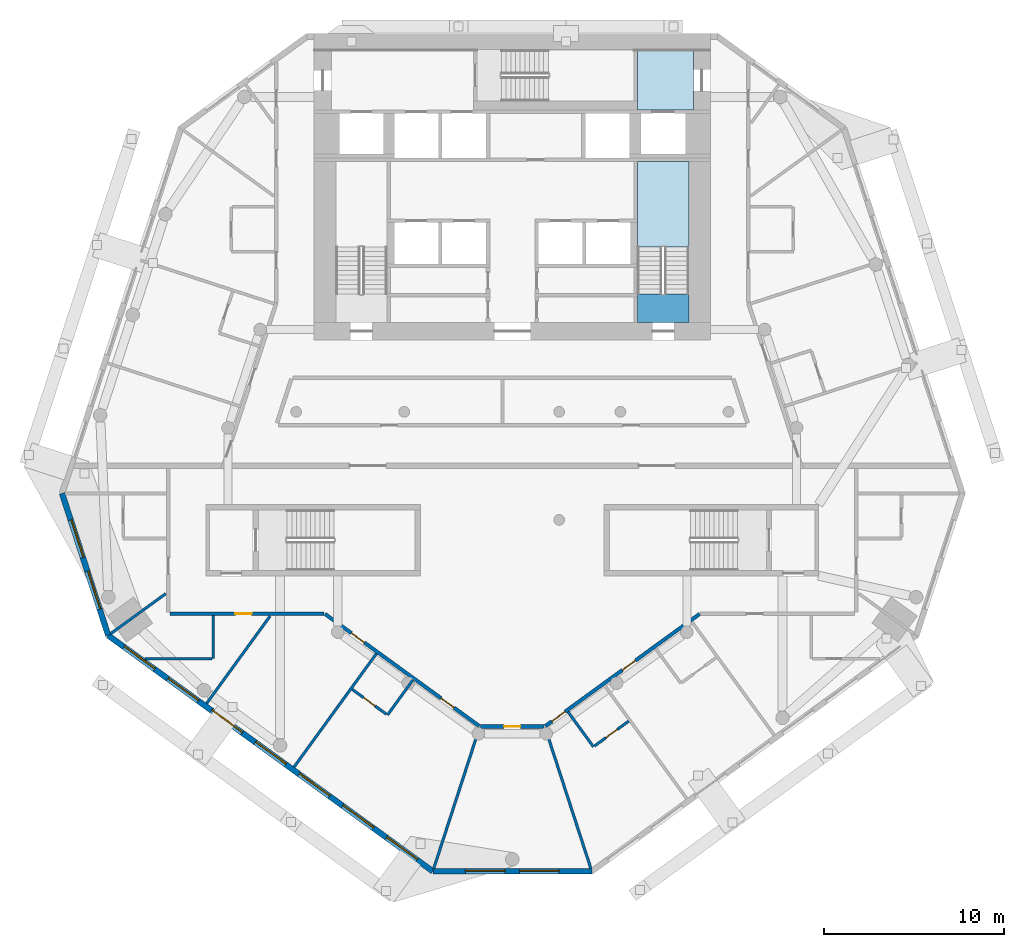
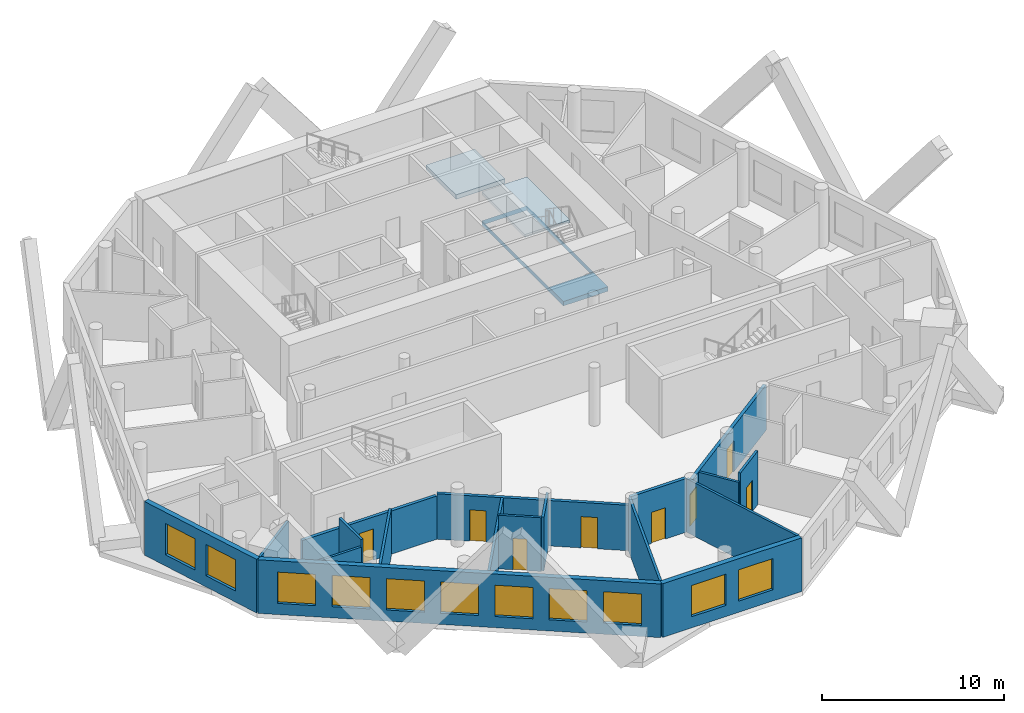
# One storey, part 3 of 10: 18 walls, 11 windows, 8 doors, 3 slabs, 19 openings, 1 element without a shape of its own.
"""IFC4 building model written with IfcOpenShell, lengths in metres."""

from ifc_helpers import new_model, si_unit, direction, frame, frame_2d, origin, place, context, subcontext, project, spatial, polyline, rectangle, outline, extrude, material, layer, layer_set, type_object, element, fill, aggregate, save


model = new_model("IFC4")

# Units and contexts
model_context = context("Model", 3, precision=1e-05, world=origin(), true_north=direction((0.0, 1.0)))
body_context = subcontext(model_context, "Body", "Model", "MODEL_VIEW")
ifc_project = project(units=[si_unit("LENGTHUNIT", "METRE"), si_unit("AREAUNIT", "SQUARE_METRE"), si_unit("VOLUMEUNIT", "CUBIC_METRE"), si_unit("PLANEANGLEUNIT", "RADIAN"), si_unit("MASSUNIT", "GRAM", prefix="KILO")], contexts=[model_context])

# Site, building, storey
site_placement = place(None, origin())
site = spatial("IfcSite", under=ifc_project, at=site_placement, CompositionType="ELEMENT")
building_placement = place(site_placement, origin())
building = spatial("IfcBuilding", under=site, at=building_placement, Name="White Candle Pilgrim Tower", CompositionType="ELEMENT")
storey_placement = place(building_placement, frame((0.0, 0.0, 183.699951171875)))
storey = spatial("IfcBuildingStorey", under=building, at=storey_placement, Name="L42", CompositionType="ELEMENT", Elevation=183.699951171875)

# Slabs
ifc_material_1 = material(Name="Concrete C40/50", Category="concrete")
ifc_layer_1 = layer(ifc_material_1, 0.300048828125)
ifc_layer_set_1 = layer_set([ifc_layer_1], Name="Core floor slab 300 mm Concrete C40/50")
slab_type_1 = type_object("IfcSlabType", Name="Core floor slab 300 mm Concrete C40/50", PredefinedType="FLOOR", material=ifc_layer_set_1)
slab_1_placement = place(storey_placement, frame((0.0, 0.0, -0.300048828125)))
element("IfcSlab", 1, at=slab_1_placement, inside=storey, type_object=slab_type_1, Name="CF-L42-06", PredefinedType="FLOOR", context=body_context, shape_type="SweptSolid", body=[
    extrude(outline(polyline([(80.050048828125, 87.050048828125), (80.050048828125, 83.75), (76.949951171875, 83.75), (76.949951171875, 84.25), (76.949951171875, 87.050048828125), (80.050048828125, 87.050048828125)])), origin(), (0.0, 0.0, 1.0), 0.300048828125),
])
slab_2_placement = place(storey_placement, frame((0.0, 0.0, -0.300048828125)))
element("IfcSlab", 2, at=slab_2_placement, inside=storey, type_object=slab_type_1, Name="CF-L42-07", PredefinedType="FLOOR", context=body_context, shape_type="SweptSolid", body=[
    extrude(outline(polyline([(76.949951171875, 71.949951171875), (76.949951171875, 73.375), (76.949951171875, 73.574951171875), (76.949951171875, 75.0), (76.949951171875, 75.199951171875), (76.949951171875, 77.5), (76.949951171875, 77.699951171875), (76.949951171875, 80.89990234375), (79.800048828125, 80.89990234375), (79.800048828125, 71.949951171875), (76.949951171875, 71.949951171875)]), holes=[polyline([(76.951904296875, 73.552001953125), (79.798095703125, 73.552001953125), (79.798095703125, 80.89794921875), (76.951904296875, 80.89794921875), (76.951904296875, 73.552001953125)])]), origin(), (0.0, 0.0, 1.0), 0.300048828125),
])

# Stair, slab
stair_type = type_object("IfcStairType", Name="Exit stair 2 flight width 1350 mm", PredefinedType="HALF_TURN_STAIR", material=ifc_material_1)
stair_placement = place(storey_placement, origin())
stair = element("IfcStair", 3, at=stair_placement, inside=storey, type_object=stair_type, Name="L42 stair 2", PredefinedType="NOTDEFINED")
ifc_layer_2 = layer(ifc_material_1, 0.199951171875)
ifc_layer_set_2 = layer_set([ifc_layer_2], Name="Stair landing Concrete C40/50")
slab_type_2 = type_object("IfcSlabType", Name="Stair landing Concrete C40/50", PredefinedType="LANDING", material=ifc_layer_set_2)
slab_3_placement = place(storey_placement, frame((0.0, 0.0, 1.75)))
slab_3 = element("IfcSlab", 4, at=slab_3_placement, type_object=slab_type_2, Name="ST2 landing 1", PredefinedType="LANDING", context=body_context, shape_type="SweptSolid", body=[
    extrude(outline(polyline([(79.802001953125, 76.14794921875), (76.947998046875, 76.14794921875), (76.947998046875, 80.902099609375), (79.802001953125, 80.902099609375), (79.802001953125, 76.14794921875)])), origin(), (0.0, 0.0, 1.0), 0.199951171875),
])
aggregate(stair, [slab_3])

# Wall, openings, doors
ifc_material_2 = material(Name="Gypsum board on steel studs", Category="steel")
ifc_layer_3 = layer(ifc_material_2, 0.199951171875)
ifc_layer_set_3 = layer_set([ifc_layer_3], Name="Corridor wall 200 mm EI 45")
wall_type_1 = type_object("IfcWallType", Name="Corridor wall 200 mm EI 45", PredefinedType="PARTITIONING", material=ifc_layer_set_3)
wall_1_placement = place(storey_placement, frame((80.398193359375, 55.781005859375, 0.0), z_axis=(0.0, 0.0, 1.0), x_axis=(-0.809012991801, -0.587790761324, 0.0)))
wall_1 = element("IfcWall", 5, at=wall_1_placement, inside=storey, type_object=wall_type_1, Name="WL-L42-P008", PredefinedType="PARTITIONING", context=body_context, shape_type="SweptSolid", body=[
    extrude(rectangle(XDim=10.595703125, YDim=0.199951171875, at=frame_2d((5.2978515625, 0.0))), origin(), (0.0, 0.0, 1.0), 3.050048828125),
])
opening_1_placement = place(wall_1_placement, frame((9.233154296875, 0.0, 0.0)))
opening_1 = element("IfcOpeningElement", 6, at=opening_1_placement, cuts=wall_1, Name="Opening T13-111", PredefinedType="OPENING", context=body_context, shape_type="SweptSolid", body=[
    extrude(rectangle(XDim=0.89990234375, YDim=2.10009765625, at=frame_2d((0.449951171875, 1.050048828125))), frame((0.0, 0.10986328125, 0.0), z_axis=(0.0, -1.0, 0.0), x_axis=(1.0, 0.0, 0.0)), (0.0, 0.0, 1.0), 0.219970703125),
])
opening_2_placement = place(wall_1_placement, frame((4.404296875, 0.0, 0.0)))
opening_2 = element("IfcOpeningElement", 7, at=opening_2_placement, cuts=wall_1, Name="Opening T13-113", PredefinedType="OPENING", context=body_context, shape_type="SweptSolid", body=[
    extrude(rectangle(XDim=0.89990234375, YDim=2.10009765625, at=frame_2d((0.449951171875, 1.050048828125))), frame((0.0, 0.10986328125, 0.0), z_axis=(0.0, -1.0, 0.0), x_axis=(1.0, 0.0, 0.0)), (0.0, 0.0, 1.0), 0.219970703125),
])
ifc_material_3 = material(Name="Steel door leaf", Category="steel")
door_type_1 = type_object("IfcDoorType", Name="Fire door 900 x 2100 EI 30", OperationType="NOTDEFINED", PredefinedType="DOOR", material=ifc_material_3)
door_1_placement = place(opening_1_placement, origin())
door_1 = element("IfcDoor", 8, at=door_1_placement, inside=storey, type_object=door_type_1, Name="Door T13-111", OperationType="SINGLE_SWING_LEFT", OverallHeight=2.10009765625, OverallWidth=0.89990234375, PredefinedType="DOOR", context=body_context, shape_type="SweptSolid", body=[
    extrude(rectangle(XDim=0.89990234375, YDim=2.10009765625, at=frame_2d((0.449951171875, 1.050048828125))), frame((0.0, 0.02490234375, 0.0), z_axis=(0.0, -1.0, 0.0), x_axis=(1.0, 0.0, 0.0)), (0.0, 0.0, 1.0), 0.050048828125),
])
fill(opening_1, door_1)
door_2_placement = place(opening_2_placement, origin())
door_2 = element("IfcDoor", 9, at=door_2_placement, inside=storey, type_object=door_type_1, Name="Door T13-113", OperationType="SINGLE_SWING_LEFT", OverallHeight=2.10009765625, OverallWidth=0.89990234375, PredefinedType="DOOR", context=body_context, shape_type="SweptSolid", body=[
    extrude(rectangle(XDim=0.89990234375, YDim=2.10009765625, at=frame_2d((0.449951171875, 1.050048828125))), frame((0.0, 0.02490234375, 0.0), z_axis=(0.0, -1.0, 0.0), x_axis=(1.0, 0.0, 0.0)), (0.0, 0.0, 1.0), 0.050048828125),
])
fill(opening_2, door_2)

# Wall, opening, door
wall_2_placement = place(storey_placement, frame((71.767333984375, 49.533935546875, 0.0), z_axis=(0.0, 0.0, 1.0), x_axis=(-1.0, 0.0, 0.0)))
wall_2 = element("IfcWall", 10, at=wall_2_placement, inside=storey, type_object=wall_type_1, Name="WL-L42-P009", PredefinedType="PARTITIONING", context=body_context, shape_type="SweptSolid", body=[
    extrude(rectangle(XDim=3.53466796875, YDim=0.199951171875, at=frame_2d((1.767333984375, 0.0))), origin(), (0.0, 0.0, 1.0), 3.60009765625),
])
opening_3_placement = place(wall_2_placement, frame((1.3173828125, 0.0, 0.0)))
opening_3 = element("IfcOpeningElement", 11, at=opening_3_placement, cuts=wall_2, Name="Opening T13-109", PredefinedType="OPENING", context=body_context, shape_type="SweptSolid", body=[
    extrude(rectangle(XDim=0.89990234375, YDim=2.10009765625, at=frame_2d((0.449951171875, 1.050048828125))), frame((0.0, 0.10986328125, 0.0), z_axis=(0.0, -1.0, 0.0), x_axis=(1.0, 0.0, 0.0)), (0.0, 0.0, 1.0), 0.219970703125),
])
door_3_placement = place(opening_3_placement, origin())
door_3 = element("IfcDoor", 12, at=door_3_placement, inside=storey, type_object=door_type_1, Name="Door T13-109", OperationType="SINGLE_SWING_LEFT", OverallHeight=2.10009765625, OverallWidth=0.89990234375, PredefinedType="DOOR", context=body_context, shape_type="SweptSolid", body=[
    extrude(rectangle(XDim=0.89990234375, YDim=2.10009765625, at=frame_2d((0.449951171875, 1.050048828125))), frame((0.0, 0.02490234375, 0.0), z_axis=(0.0, -1.0, 0.0), x_axis=(1.0, 0.0, 0.0)), (0.0, 0.0, 1.0), 0.050048828125),
])
fill(opening_3, door_3)

# Wall, openings, doors
wall_3_placement = place(storey_placement, frame((68.173828125, 49.552978515625, 0.0), z_axis=(0.0, 0.0, 1.0), x_axis=(-0.809012991801, 0.587790761324, 0.0)))
wall_3 = element("IfcWall", 13, at=wall_3_placement, inside=storey, type_object=wall_type_1, Name="WL-L42-P010", PredefinedType="PARTITIONING", context=body_context, shape_type="SweptSolid", body=[
    extrude(rectangle(XDim=10.595703125, YDim=0.199951171875, at=frame_2d((5.2978515625, 0.0))), origin(), (0.0, 0.0, 1.0), 3.050048828125),
])
opening_4_placement = place(wall_3_placement, frame((7.884765625, 0.0, 0.0)))
opening_4 = element("IfcOpeningElement", 14, at=opening_4_placement, cuts=wall_3, Name="Opening T13-106", PredefinedType="OPENING", context=body_context, shape_type="SweptSolid", body=[
    extrude(rectangle(XDim=0.89990234375, YDim=2.10009765625, at=frame_2d((0.449951171875, 1.050048828125))), frame((0.0, 0.10986328125, 0.0), z_axis=(0.0, -1.0, 0.0), x_axis=(1.0, 0.0, 0.0)), (0.0, 0.0, 1.0), 0.219970703125),
])
opening_5_placement = place(wall_3_placement, frame((1.7294921875, 0.0, 0.0)))
opening_5 = element("IfcOpeningElement", 15, at=opening_5_placement, cuts=wall_3, Name="Opening T13-108", PredefinedType="OPENING", context=body_context, shape_type="SweptSolid", body=[
    extrude(rectangle(XDim=0.89990234375, YDim=2.10009765625, at=frame_2d((0.449951171875, 1.050048828125))), frame((0.0, 0.10986328125, 0.0), z_axis=(0.0, -1.0, 0.0), x_axis=(1.0, 0.0, 0.0)), (0.0, 0.0, 1.0), 0.219970703125),
])
door_4_placement = place(opening_4_placement, origin())
door_4 = element("IfcDoor", 16, at=door_4_placement, inside=storey, type_object=door_type_1, Name="Door T13-106", OperationType="SINGLE_SWING_RIGHT", OverallHeight=2.10009765625, OverallWidth=0.89990234375, PredefinedType="DOOR", context=body_context, shape_type="SweptSolid", body=[
    extrude(rectangle(XDim=0.89990234375, YDim=2.10009765625, at=frame_2d((0.449951171875, 1.050048828125))), frame((0.0, 0.02490234375, 0.0), z_axis=(0.0, -1.0, 0.0), x_axis=(1.0, 0.0, 0.0)), (0.0, 0.0, 1.0), 0.050048828125),
])
fill(opening_4, door_4)
door_5_placement = place(opening_5_placement, origin())
door_5 = element("IfcDoor", 17, at=door_5_placement, inside=storey, type_object=door_type_1, Name="Door T13-108", OperationType="SINGLE_SWING_RIGHT", OverallHeight=2.10009765625, OverallWidth=0.89990234375, PredefinedType="DOOR", context=body_context, shape_type="SweptSolid", body=[
    extrude(rectangle(XDim=0.89990234375, YDim=2.10009765625, at=frame_2d((0.449951171875, 1.050048828125))), frame((0.0, 0.02490234375, 0.0), z_axis=(0.0, -1.0, 0.0), x_axis=(1.0, 0.0, 0.0)), (0.0, 0.0, 1.0), 0.050048828125),
])
fill(opening_5, door_5)

# Wall, opening, door
wall_4_placement = place(storey_placement, frame((59.54296875, 55.800048828125, 0.0), z_axis=(0.0, 0.0, 1.0), x_axis=(-1.0, 0.0, 0.0)))
wall_4 = element("IfcWall", 18, at=wall_4_placement, inside=storey, type_object=wall_type_1, Name="WL-L42-P011", PredefinedType="PARTITIONING", context=body_context, shape_type="SweptSolid", body=[
    extrude(rectangle(XDim=8.54296875, YDim=0.199951171875, at=frame_2d((4.271484375, 0.0))), origin(), (0.0, 0.0, 1.0), 2.900146484375),
])
opening_6_placement = place(wall_4_placement, frame((4.015869140625, 0.0, 0.0)))
opening_6 = element("IfcOpeningElement", 19, at=opening_6_placement, cuts=wall_4, Name="Opening T13-105", PredefinedType="OPENING", context=body_context, shape_type="SweptSolid", body=[
    extrude(rectangle(XDim=0.89990234375, YDim=2.10009765625, at=frame_2d((0.449951171875, 1.050048828125))), frame((0.0, 0.10986328125, 0.0), z_axis=(0.0, -1.0, 0.0), x_axis=(1.0, 0.0, 0.0)), (0.0, 0.0, 1.0), 0.219970703125),
])
door_6_placement = place(opening_6_placement, origin())
door_6 = element("IfcDoor", 20, at=door_6_placement, inside=storey, type_object=door_type_1, Name="Door T13-105", OperationType="SINGLE_SWING_LEFT", OverallHeight=2.10009765625, OverallWidth=0.89990234375, PredefinedType="DOOR", context=body_context, shape_type="SweptSolid", body=[
    extrude(rectangle(XDim=0.89990234375, YDim=2.10009765625, at=frame_2d((0.449951171875, 1.050048828125))), frame((0.0, 0.02490234375, 0.0), z_axis=(0.0, -1.0, 0.0), x_axis=(1.0, 0.0, 0.0)), (0.0, 0.0, 1.0), 0.050048828125),
])
fill(opening_6, door_6)

# Wall, openings, windows
ifc_material_4 = material(Name="Precast concrete C40/50", Category="concrete")
ifc_layer_4 = layer(ifc_material_4, 0.320068359375)
ifc_layer_set_4 = layer_set([ifc_layer_4], Name="Facade wall EW1 precast concrete C40/50 pier wall with timber-lined reveals")
wall_type_2 = type_object("IfcWallType", Name="Facade wall EW1 precast concrete C40/50 pier wall with timber-lined reveals", PredefinedType="SOLIDWALL", material=ifc_layer_set_4)
wall_5_placement = place(storey_placement, frame((45.0068359375, 62.470703125, 0.0), z_axis=(0.0, 0.0, 1.0), x_axis=(0.309001512975, -0.951061546368, 0.0)))
wall_5 = element("IfcWall", 21, at=wall_5_placement, inside=storey, type_object=wall_type_2, Name="Facade wall L42 W chamfer", PredefinedType="SOLIDWALL", context=body_context, shape_type="SweptSolid", body=[
    extrude(rectangle(XDim=8.291259765625, YDim=0.320068359375, at=frame_2d((4.1455078125, 0.0))), origin(), (0.0, 0.0, 1.0), 3.60009765625),
])
opening_7_placement = place(wall_5_placement, frame((1.545654296875, 0.0, 0.75)))
opening_7 = element("IfcOpeningElement", 22, at=opening_7_placement, cuts=wall_5, Name="Opening W4", PredefinedType="OPENING", context=body_context, shape_type="SweptSolid", body=[
    extrude(rectangle(XDim=2.199951171875, YDim=2.10009765625, at=frame_2d((1.10009765625, 1.050048828125))), frame((0.0, 0.169921875, 0.0), z_axis=(0.0, -1.0, 0.0), x_axis=(1.0, 0.0, 0.0)), (0.0, 0.0, 1.0), 0.340087890625),
])
opening_8_placement = place(wall_5_placement, frame((4.545654296875, 0.0, 0.75)))
opening_8 = element("IfcOpeningElement", 23, at=opening_8_placement, cuts=wall_5, Name="Opening W4", PredefinedType="OPENING", context=body_context, shape_type="SweptSolid", body=[
    extrude(rectangle(XDim=2.199951171875, YDim=2.10009765625, at=frame_2d((1.10009765625, 1.050048828125))), frame((0.0, 0.169921875, 0.0), z_axis=(0.0, -1.0, 0.0), x_axis=(1.0, 0.0, 0.0)), (0.0, 0.0, 1.0), 0.340087890625),
])
ifc_material_5 = material(Name="Timber frame with triple glazing", Category="wood")
window_type_1 = type_object("IfcWindowType", Name="Window W4 2200x2100 timber frame triple glazing", PartitioningType="SINGLE_PANEL", PredefinedType="WINDOW", material=ifc_material_5)
window_1_placement = place(opening_7_placement, origin())
window_1 = element("IfcWindow", 24, at=window_1_placement, inside=storey, type_object=window_type_1, Name="Window W4 L42 W chamfer 1", OverallHeight=2.10009765625, OverallWidth=2.199951171875, PartitioningType="SINGLE_PANEL", PredefinedType="WINDOW", context=body_context, shape_type="SweptSolid", body=[
    extrude(rectangle(XDim=2.199951171875, YDim=2.10009765625, at=frame_2d((1.10009765625, 1.050048828125))), frame((0.0, 0.070068359375, 0.0), z_axis=(0.0, -1.0, 0.0), x_axis=(1.0, 0.0, 0.0)), (0.0, 0.0, 1.0), 0.06005859375),
])
fill(opening_7, window_1)
window_2_placement = place(opening_8_placement, origin())
window_2 = element("IfcWindow", 25, at=window_2_placement, inside=storey, type_object=window_type_1, Name="Window W4 L42 W chamfer 2", OverallHeight=2.10009765625, OverallWidth=2.199951171875, PartitioningType="SINGLE_PANEL", PredefinedType="WINDOW", context=body_context, shape_type="SweptSolid", body=[
    extrude(rectangle(XDim=2.199951171875, YDim=2.10009765625, at=frame_2d((1.10009765625, 1.050048828125))), frame((0.0, 0.070068359375, 0.0), z_axis=(0.0, -1.0, 0.0), x_axis=(1.0, 0.0, 0.0)), (0.0, 0.0, 1.0), 0.06005859375),
])
fill(opening_8, window_2)

wall_6_placement = place(storey_placement, frame((47.56884765625, 54.585205078125, 0.0), z_axis=(0.0, 0.0, 1.0), x_axis=(0.809019450931, -0.587781871118, 0.0)))
wall_6 = element("IfcWall", 26, at=wall_6_placement, inside=storey, type_object=wall_type_2, Name="Facade wall L42 SW", PredefinedType="SOLIDWALL", context=body_context, shape_type="SweptSolid", body=[
    extrude(rectangle(XDim=22.2724609375, YDim=0.320068359375, at=frame_2d((11.13623046875, 0.0))), origin(), (0.0, 0.0, 1.0), 3.60009765625),
])
opening_9_placement = place(wall_6_placement, frame((1.086181640625, 0.0, 0.75)))
opening_9 = element("IfcOpeningElement", 27, at=opening_9_placement, cuts=wall_6, Name="Opening W3", PredefinedType="OPENING", context=body_context, shape_type="SweptSolid", body=[
    extrude(rectangle(XDim=2.10009765625, YDim=2.10009765625, at=frame_2d((1.050048828125, 1.050048828125))), frame((0.0, 0.169921875, 0.0), z_axis=(0.0, -1.0, 0.0), x_axis=(1.0, 0.0, 0.0)), (0.0, 0.0, 1.0), 0.340087890625),
])
opening_10_placement = place(wall_6_placement, frame((4.086181640625, 0.0, 0.75)))
opening_10 = element("IfcOpeningElement", 28, at=opening_10_placement, cuts=wall_6, Name="Opening W3", PredefinedType="OPENING", context=body_context, shape_type="SweptSolid", body=[
    extrude(rectangle(XDim=2.10009765625, YDim=2.10009765625, at=frame_2d((1.050048828125, 1.050048828125))), frame((0.0, 0.169921875, 0.0), z_axis=(0.0, -1.0, 0.0), x_axis=(1.0, 0.0, 0.0)), (0.0, 0.0, 1.0), 0.340087890625),
])
opening_11_placement = place(wall_6_placement, frame((7.086181640625, 0.0, 0.75)))
opening_11 = element("IfcOpeningElement", 29, at=opening_11_placement, cuts=wall_6, Name="Opening W3", PredefinedType="OPENING", context=body_context, shape_type="SweptSolid", body=[
    extrude(rectangle(XDim=2.10009765625, YDim=2.10009765625, at=frame_2d((1.050048828125, 1.050048828125))), frame((0.0, 0.169921875, 0.0), z_axis=(0.0, -1.0, 0.0), x_axis=(1.0, 0.0, 0.0)), (0.0, 0.0, 1.0), 0.340087890625),
])
opening_12_placement = place(wall_6_placement, frame((10.086181640625, 0.0, 0.75)))
opening_12 = element("IfcOpeningElement", 30, at=opening_12_placement, cuts=wall_6, Name="Opening W3", PredefinedType="OPENING", context=body_context, shape_type="SweptSolid", body=[
    extrude(rectangle(XDim=2.10009765625, YDim=2.10009765625, at=frame_2d((1.050048828125, 1.050048828125))), frame((0.0, 0.169921875, 0.0), z_axis=(0.0, -1.0, 0.0), x_axis=(1.0, 0.0, 0.0)), (0.0, 0.0, 1.0), 0.340087890625),
])
opening_13_placement = place(wall_6_placement, frame((13.086181640625, 0.0, 0.75)))
opening_13 = element("IfcOpeningElement", 31, at=opening_13_placement, cuts=wall_6, Name="Opening W3", PredefinedType="OPENING", context=body_context, shape_type="SweptSolid", body=[
    extrude(rectangle(XDim=2.10009765625, YDim=2.10009765625, at=frame_2d((1.050048828125, 1.050048828125))), frame((0.0, 0.169921875, 0.0), z_axis=(0.0, -1.0, 0.0), x_axis=(1.0, 0.0, 0.0)), (0.0, 0.0, 1.0), 0.340087890625),
])
opening_14_placement = place(wall_6_placement, frame((16.086181640625, 0.0, 0.75)))
opening_14 = element("IfcOpeningElement", 32, at=opening_14_placement, cuts=wall_6, Name="Opening W3", PredefinedType="OPENING", context=body_context, shape_type="SweptSolid", body=[
    extrude(rectangle(XDim=2.10009765625, YDim=2.10009765625, at=frame_2d((1.050048828125, 1.050048828125))), frame((0.0, 0.169921875, 0.0), z_axis=(0.0, -1.0, 0.0), x_axis=(1.0, 0.0, 0.0)), (0.0, 0.0, 1.0), 0.340087890625),
])
opening_15_placement = place(wall_6_placement, frame((19.086181640625, 0.0, 0.75)))
opening_15 = element("IfcOpeningElement", 33, at=opening_15_placement, cuts=wall_6, Name="Opening W3", PredefinedType="OPENING", context=body_context, shape_type="SweptSolid", body=[
    extrude(rectangle(XDim=2.10009765625, YDim=2.10009765625, at=frame_2d((1.050048828125, 1.050048828125))), frame((0.0, 0.169921875, 0.0), z_axis=(0.0, -1.0, 0.0), x_axis=(1.0, 0.0, 0.0)), (0.0, 0.0, 1.0), 0.340087890625),
])
window_type_2 = type_object("IfcWindowType", Name="Window W3 2100x2100 timber frame triple glazing", PartitioningType="SINGLE_PANEL", PredefinedType="WINDOW", material=ifc_material_5)
window_3_placement = place(opening_9_placement, origin())
window_3 = element("IfcWindow", 34, at=window_3_placement, inside=storey, type_object=window_type_2, Name="Window W3 L42 SW 1", OverallHeight=2.10009765625, OverallWidth=2.10009765625, PartitioningType="SINGLE_PANEL", PredefinedType="WINDOW", context=body_context, shape_type="SweptSolid", body=[
    extrude(rectangle(XDim=2.10009765625, YDim=2.10009765625, at=frame_2d((1.050048828125, 1.050048828125))), frame((0.0, 0.070068359375, 0.0), z_axis=(0.0, -1.0, 0.0), x_axis=(1.0, 0.0, 0.0)), (0.0, 0.0, 1.0), 0.06005859375),
])
fill(opening_9, window_3)
window_4_placement = place(opening_10_placement, origin())
window_4 = element("IfcWindow", 35, at=window_4_placement, inside=storey, type_object=window_type_2, Name="Window W3 L42 SW 2", OverallHeight=2.10009765625, OverallWidth=2.10009765625, PartitioningType="SINGLE_PANEL", PredefinedType="WINDOW", context=body_context, shape_type="SweptSolid", body=[
    extrude(rectangle(XDim=2.10009765625, YDim=2.10009765625, at=frame_2d((1.050048828125, 1.050048828125))), frame((0.0, 0.070068359375, 0.0), z_axis=(0.0, -1.0, 0.0), x_axis=(1.0, 0.0, 0.0)), (0.0, 0.0, 1.0), 0.06005859375),
])
fill(opening_10, window_4)
window_5_placement = place(opening_11_placement, origin())
window_5 = element("IfcWindow", 36, at=window_5_placement, inside=storey, type_object=window_type_2, Name="Window W3 L42 SW 3", OverallHeight=2.10009765625, OverallWidth=2.10009765625, PartitioningType="SINGLE_PANEL", PredefinedType="WINDOW", context=body_context, shape_type="SweptSolid", body=[
    extrude(rectangle(XDim=2.10009765625, YDim=2.10009765625, at=frame_2d((1.050048828125, 1.050048828125))), frame((0.0, 0.070068359375, 0.0), z_axis=(0.0, -1.0, 0.0), x_axis=(1.0, 0.0, 0.0)), (0.0, 0.0, 1.0), 0.06005859375),
])
fill(opening_11, window_5)
window_6_placement = place(opening_12_placement, origin())
window_6 = element("IfcWindow", 37, at=window_6_placement, inside=storey, type_object=window_type_2, Name="Window W3 L42 SW 4", OverallHeight=2.10009765625, OverallWidth=2.10009765625, PartitioningType="SINGLE_PANEL", PredefinedType="WINDOW", context=body_context, shape_type="SweptSolid", body=[
    extrude(rectangle(XDim=2.10009765625, YDim=2.10009765625, at=frame_2d((1.050048828125, 1.050048828125))), frame((0.0, 0.070068359375, 0.0), z_axis=(0.0, -1.0, 0.0), x_axis=(1.0, 0.0, 0.0)), (0.0, 0.0, 1.0), 0.06005859375),
])
fill(opening_12, window_6)
window_7_placement = place(opening_13_placement, origin())
window_7 = element("IfcWindow", 38, at=window_7_placement, inside=storey, type_object=window_type_2, Name="Window W3 L42 SW 5", OverallHeight=2.10009765625, OverallWidth=2.10009765625, PartitioningType="SINGLE_PANEL", PredefinedType="WINDOW", context=body_context, shape_type="SweptSolid", body=[
    extrude(rectangle(XDim=2.10009765625, YDim=2.10009765625, at=frame_2d((1.050048828125, 1.050048828125))), frame((0.0, 0.070068359375, 0.0), z_axis=(0.0, -1.0, 0.0), x_axis=(1.0, 0.0, 0.0)), (0.0, 0.0, 1.0), 0.06005859375),
])
fill(opening_13, window_7)
window_8_placement = place(opening_14_placement, origin())
window_8 = element("IfcWindow", 39, at=window_8_placement, inside=storey, type_object=window_type_2, Name="Window W3 L42 SW 6", OverallHeight=2.10009765625, OverallWidth=2.10009765625, PartitioningType="SINGLE_PANEL", PredefinedType="WINDOW", context=body_context, shape_type="SweptSolid", body=[
    extrude(rectangle(XDim=2.10009765625, YDim=2.10009765625, at=frame_2d((1.050048828125, 1.050048828125))), frame((0.0, 0.070068359375, 0.0), z_axis=(0.0, -1.0, 0.0), x_axis=(1.0, 0.0, 0.0)), (0.0, 0.0, 1.0), 0.06005859375),
])
fill(opening_14, window_8)
window_9_placement = place(opening_15_placement, origin())
window_9 = element("IfcWindow", 40, at=window_9_placement, inside=storey, type_object=window_type_2, Name="Window W3 L42 SW 7", OverallHeight=2.10009765625, OverallWidth=2.10009765625, PartitioningType="SINGLE_PANEL", PredefinedType="WINDOW", context=body_context, shape_type="SweptSolid", body=[
    extrude(rectangle(XDim=2.10009765625, YDim=2.10009765625, at=frame_2d((1.050048828125, 1.050048828125))), frame((0.0, 0.070068359375, 0.0), z_axis=(0.0, -1.0, 0.0), x_axis=(1.0, 0.0, 0.0)), (0.0, 0.0, 1.0), 0.06005859375),
])
fill(opening_15, window_9)

wall_7_placement = place(storey_placement, frame((65.587646484375, 41.493896484375, 0.0), z_axis=(0.0, 0.0, 1.0), x_axis=(1.0, 0.0, 0.0)))
wall_7 = element("IfcWall", 41, at=wall_7_placement, inside=storey, type_object=wall_type_2, Name="Facade wall L42 S chamfer", PredefinedType="SOLIDWALL", context=body_context, shape_type="SweptSolid", body=[
    extrude(rectangle(XDim=8.82470703125, YDim=0.320068359375, at=frame_2d((4.412353515625, 0.0))), origin(), (0.0, 0.0, 1.0), 3.60009765625),
])
opening_16_placement = place(wall_7_placement, frame((1.812255859375, 0.0, 0.75)))
opening_16 = element("IfcOpeningElement", 42, at=opening_16_placement, cuts=wall_7, Name="Opening W4", PredefinedType="OPENING", context=body_context, shape_type="SweptSolid", body=[
    extrude(rectangle(XDim=2.199951171875, YDim=2.10009765625, at=frame_2d((1.10009765625, 1.050048828125))), frame((0.0, 0.169921875, 0.0), z_axis=(0.0, -1.0, 0.0), x_axis=(1.0, 0.0, 0.0)), (0.0, 0.0, 1.0), 0.340087890625),
])
opening_17_placement = place(wall_7_placement, frame((4.812255859375, 0.0, 0.75)))
opening_17 = element("IfcOpeningElement", 43, at=opening_17_placement, cuts=wall_7, Name="Opening W4", PredefinedType="OPENING", context=body_context, shape_type="SweptSolid", body=[
    extrude(rectangle(XDim=2.199951171875, YDim=2.10009765625, at=frame_2d((1.10009765625, 1.050048828125))), frame((0.0, 0.169921875, 0.0), z_axis=(0.0, -1.0, 0.0), x_axis=(1.0, 0.0, 0.0)), (0.0, 0.0, 1.0), 0.340087890625),
])
window_10_placement = place(opening_16_placement, origin())
window_10 = element("IfcWindow", 44, at=window_10_placement, inside=storey, type_object=window_type_1, Name="Window W4 L42 S chamfer 1", OverallHeight=2.10009765625, OverallWidth=2.199951171875, PartitioningType="SINGLE_PANEL", PredefinedType="WINDOW", context=body_context, shape_type="SweptSolid", body=[
    extrude(rectangle(XDim=2.199951171875, YDim=2.10009765625, at=frame_2d((1.10009765625, 1.050048828125))), frame((0.0, 0.070068359375, 0.0), z_axis=(0.0, -1.0, 0.0), x_axis=(1.0, 0.0, 0.0)), (0.0, 0.0, 1.0), 0.06005859375),
])
fill(opening_16, window_10)
window_11_placement = place(opening_17_placement, origin())
window_11 = element("IfcWindow", 45, at=window_11_placement, inside=storey, type_object=window_type_1, Name="Window W4 L42 S chamfer 2", OverallHeight=2.10009765625, OverallWidth=2.199951171875, PartitioningType="SINGLE_PANEL", PredefinedType="WINDOW", context=body_context, shape_type="SweptSolid", body=[
    extrude(rectangle(XDim=2.199951171875, YDim=2.10009765625, at=frame_2d((1.10009765625, 1.050048828125))), frame((0.0, 0.070068359375, 0.0), z_axis=(0.0, -1.0, 0.0), x_axis=(1.0, 0.0, 0.0)), (0.0, 0.0, 1.0), 0.06005859375),
])
fill(opening_17, window_11)

# Walls
ifc_layer_5 = layer(ifc_material_2, 0.14990234375)
ifc_layer_set_5 = layer_set([ifc_layer_5], Name="Partition 150 mm EI 60")
wall_type_3 = type_object("IfcWallType", Name="Partition 150 mm EI 60", PredefinedType="PARTITIONING", material=ifc_layer_set_5)
wall_8_placement = place(storey_placement, frame((47.705078125, 54.68408203125, 0.0), z_axis=(0.0, 0.0, 1.0), x_axis=(0.808982372667, 0.587832902034, 0.0)))
element("IfcWall", 46, at=wall_8_placement, inside=storey, type_object=wall_type_3, Name="WL-L42-P019", PredefinedType="PARTITIONING", context=body_context, shape_type="SweptSolid", body=[
    extrude(rectangle(XDim=3.771240234375, YDim=0.14990234375, at=frame_2d((1.8857421875, 0.0))), origin(), (0.0, 0.0, 1.0), 3.60009765625),
])
for number, where, z_axis, x_axis, name in (
    (47, (65.6396484375, 41.65380859375, 0.0), (0.0, 0.0, 1.0), (0.309028851132, 0.95105266372, 0.0), "WL-L42-P020"),
    (48, (74.3603515625, 41.65380859375, 0.0), (0.0, 0.0, 1.0), (-0.309028851132, 0.95105266372, 0.0), "WL-L42-P021"),
):
    element("IfcWall", number, at=place(storey_placement, frame(where, z_axis=z_axis, x_axis=x_axis)), inside=storey, type_object=wall_type_3, Name=name, PredefinedType="PARTITIONING", context=body_context, shape_type="SweptSolid", body=[
        extrude(rectangle(XDim=8.200439453125, YDim=0.14990234375, at=frame_2d((4.10009765625, 0.0))), origin(), (0.0, 0.0, 1.0), 3.60009765625),
    ])
wall_9_placement = place(storey_placement, frame((53.03173828125, 50.814208984375, 0.0), z_axis=(0.0, 0.0, 1.0), x_axis=(0.587790821397, 0.809012948154, 0.0)))
element("IfcWall", 49, at=wall_9_placement, inside=storey, type_object=wall_type_3, Name="WL-L42-P035", PredefinedType="PARTITIONING", context=body_context, shape_type="SweptSolid", body=[
    extrude(rectangle(XDim=5.98486328125, YDim=0.14990234375, at=frame_2d((2.992431640625, 0.0))), origin(), (0.0, 0.0, 1.0), 3.150146484375),
])
wall_10_placement = place(storey_placement, frame((57.885986328125, 47.287353515625, 0.0), z_axis=(0.0, 0.0, 1.0), x_axis=(0.587785397819, 0.809016888643, 0.0)))
element("IfcWall", 50, at=wall_10_placement, inside=storey, type_object=wall_type_3, Name="WL-L42-P036", PredefinedType="PARTITIONING", context=body_context, shape_type="SweptSolid", body=[
    extrude(rectangle(XDim=7.780029296875, YDim=0.14990234375, at=frame_2d((3.89013671875, 0.0))), origin(), (0.0, 0.0, 1.0), 3.050048828125),
])
wall_11_placement = place(storey_placement, frame((53.39990234375, 55.699951171875, 0.0), z_axis=(0.0, 0.0, 1.0), x_axis=(0.0, -1.0, 0.0)))
element("IfcWall", 51, at=wall_11_placement, inside=storey, type_object=wall_type_3, Name="WL-L42-P037", PredefinedType="PARTITIONING", context=body_context, shape_type="SweptSolid", body=[
    extrude(rectangle(XDim=2.39990234375, YDim=0.14990234375, at=frame_2d((1.199951171875, 0.0))), origin(), (0.0, 0.0, 1.0), 3.60009765625),
])
wall_12_placement = place(storey_placement, frame((49.610107421875, 53.300048828125, 0.0), z_axis=(0.0, 0.0, 1.0), x_axis=(1.0, 0.0, 0.0)))
element("IfcWall", 52, at=wall_12_placement, inside=storey, type_object=wall_type_3, Name="WL-L42-P038", PredefinedType="PARTITIONING", context=body_context, shape_type="SweptSolid", body=[
    extrude(rectangle(XDim=3.71484375, YDim=0.14990234375, at=frame_2d((1.857421875, 0.0))), origin(), (0.0, 0.0, 1.0), 3.150146484375),
])
wall_13_placement = place(storey_placement, frame((64.4814453125, 52.112060546875, 0.0), z_axis=(0.0, 0.0, 1.0), x_axis=(-0.587772420479, -0.809026317077, 0.0)))
element("IfcWall", 53, at=wall_13_placement, inside=storey, type_object=wall_type_3, Name="WL-L42-P039", PredefinedType="PARTITIONING", context=body_context, shape_type="SweptSolid", body=[
    extrude(rectangle(XDim=2.39990234375, YDim=0.14990234375, at=frame_2d((1.199951171875, 0.0))), origin(), (0.0, 0.0, 1.0), 3.60009765625),
])

# Wall, opening, door
wall_14_placement = place(storey_placement, frame((61.10888671875, 51.595703125, 0.0), z_axis=(0.0, 0.0, 1.0), x_axis=(0.809045978168, -0.587745357455, 0.0)))
wall_14 = element("IfcWall", 54, at=wall_14_placement, inside=storey, type_object=wall_type_3, Name="WL-L42-P040", PredefinedType="PARTITIONING", context=body_context, shape_type="SweptSolid", body=[
    extrude(rectangle(XDim=2.349853515625, YDim=0.14990234375, at=frame_2d((1.1748046875, 0.0))), origin(), (0.0, 0.0, 1.0), 3.60009765625),
])
opening_18_placement = place(wall_14_placement, frame((0.77490234375, 0.0, 0.0)))
opening_18 = element("IfcOpeningElement", 55, at=opening_18_placement, cuts=wall_14, Name="Opening T13-107", PredefinedType="OPENING", context=body_context, shape_type="SweptSolid", body=[
    extrude(rectangle(XDim=0.800048828125, YDim=2.10009765625, at=frame_2d((0.39990234375, 1.050048828125))), frame((0.0, 0.0849609375, 0.0), z_axis=(0.0, -1.0, 0.0), x_axis=(1.0, 0.0, 0.0)), (0.0, 0.0, 1.0), 0.169921875),
])
door_type_2 = type_object("IfcDoorType", Name="Fire door 800 x 2100 EI 30", OperationType="NOTDEFINED", PredefinedType="DOOR", material=ifc_material_3)
door_7_placement = place(opening_18_placement, frame((0.800048828125, 0.0, 0.0), z_axis=(0.0, 0.0, 1.0), x_axis=(-1.0, 0.0, 0.0)))
door_7 = element("IfcDoor", 56, at=door_7_placement, inside=storey, type_object=door_type_2, Name="Door T13-107", OperationType="SINGLE_SWING_RIGHT", OverallHeight=2.10009765625, OverallWidth=0.800048828125, PredefinedType="DOOR", context=body_context, shape_type="SweptSolid", body=[
    extrude(rectangle(XDim=0.800048828125, YDim=2.10009765625, at=frame_2d((0.39990234375, 1.050048828125))), frame((0.0, 0.02490234375, 0.0), z_axis=(0.0, -1.0, 0.0), x_axis=(1.0, 0.0, 0.0)), (0.0, 0.0, 1.0), 0.050048828125),
])
fill(opening_18, door_7)

# Wall
wall_15_placement = place(storey_placement, frame((73.091552734375, 50.3486328125, 0.0), z_axis=(0.0, 0.0, 1.0), x_axis=(0.587772420479, -0.809026317077, 0.0)))
element("IfcWall", 57, at=wall_15_placement, inside=storey, type_object=wall_type_3, Name="WL-L42-P043", PredefinedType="PARTITIONING", context=body_context, shape_type="SweptSolid", body=[
    extrude(rectangle(XDim=2.39990234375, YDim=0.14990234375, at=frame_2d((1.199951171875, 0.0))), origin(), (0.0, 0.0, 1.0), 3.050048828125),
])

# Wall, opening, door
wall_16_placement = place(storey_placement, frame((76.464111328125, 49.83251953125, 0.0), z_axis=(0.0, 0.0, 1.0), x_axis=(-0.808996573949, -0.587813357571, 0.0)))
wall_16 = element("IfcWall", 58, at=wall_16_placement, inside=storey, type_object=wall_type_3, Name="WL-L42-P044", PredefinedType="PARTITIONING", context=body_context, shape_type="SweptSolid", body=[
    extrude(rectangle(XDim=2.35009765625, YDim=0.14990234375, at=frame_2d((1.175048828125, 0.0))), origin(), (0.0, 0.0, 1.0), 3.60009765625),
])
opening_19_placement = place(wall_16_placement, frame((0.77490234375, 0.0, 0.0)))
opening_19 = element("IfcOpeningElement", 59, at=opening_19_placement, cuts=wall_16, Name="Opening T13-110", PredefinedType="OPENING", context=body_context, shape_type="SweptSolid", body=[
    extrude(rectangle(XDim=0.800048828125, YDim=2.10009765625, at=frame_2d((0.39990234375, 1.050048828125))), frame((0.0, 0.0849609375, 0.0), z_axis=(0.0, -1.0, 0.0), x_axis=(1.0, 0.0, 0.0)), (0.0, 0.0, 1.0), 0.169921875),
])
door_8_placement = place(opening_19_placement, origin())
door_8 = element("IfcDoor", 60, at=door_8_placement, inside=storey, type_object=door_type_2, Name="Door T13-110", OperationType="SINGLE_SWING_RIGHT", OverallHeight=2.10009765625, OverallWidth=0.800048828125, PredefinedType="DOOR", context=body_context, shape_type="SweptSolid", body=[
    extrude(rectangle(XDim=0.800048828125, YDim=2.10009765625, at=frame_2d((0.39990234375, 1.050048828125))), frame((0.0, 0.02490234375, 0.0), z_axis=(0.0, -1.0, 0.0), x_axis=(1.0, 0.0, 0.0)), (0.0, 0.0, 1.0), 0.050048828125),
])
fill(opening_19, door_8)

save(model, "model.ifc")
